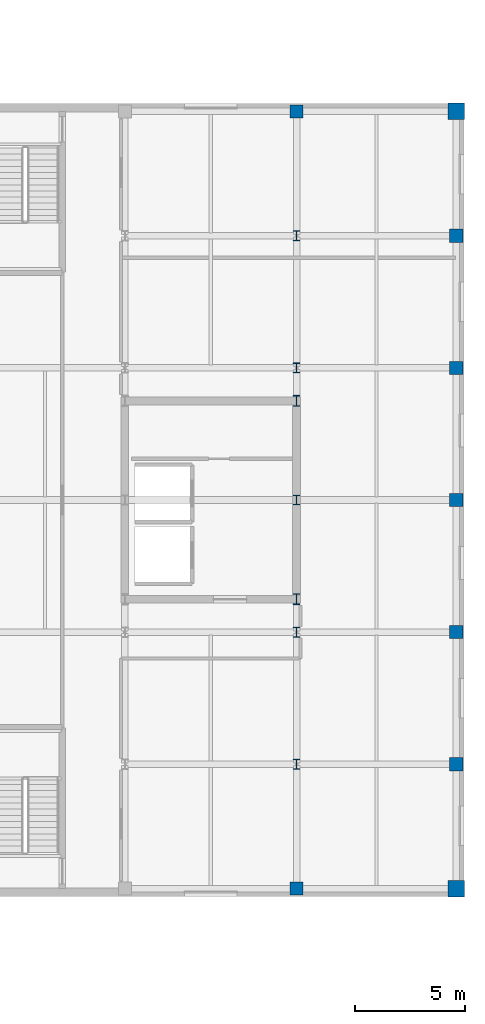
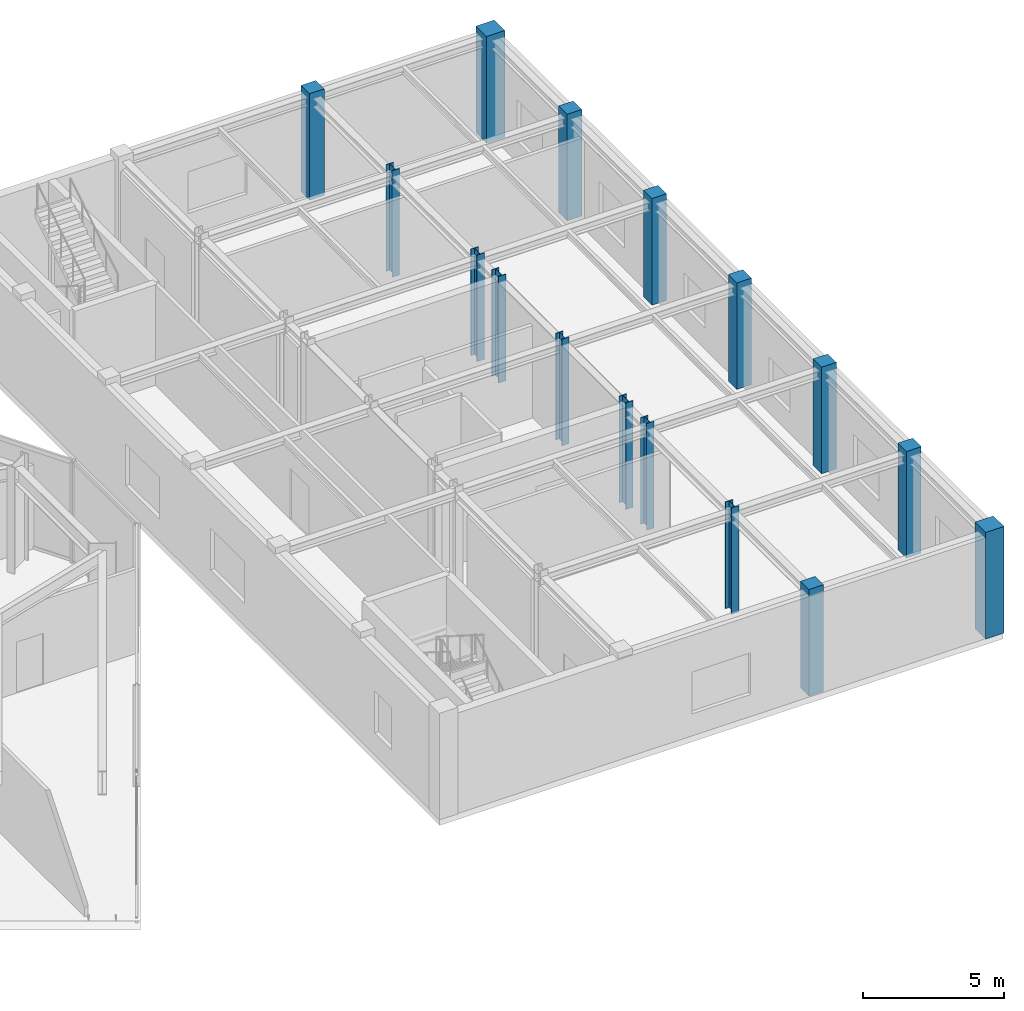
# One storey, part 4 of 23: 16 columns.
"""IFC4 building model written with IfcOpenShell, lengths in metres."""

from ifc_helpers import new_model, si_unit, direction, frame, origin, origin_2d, place, context, subcontext, project, spatial, rectangle, i_section, extrude, material, material_profile, profile_set, type_object, element, save


model = new_model("IFC4")

# Units and contexts
model_context = context("Model", 3, precision=1e-05, world=origin(), true_north=direction((0.0, 1.0)))
body_context = subcontext(model_context, "Body", "Model", "MODEL_VIEW")
ifc_project = project(units=[si_unit("LENGTHUNIT", "METRE"), si_unit("AREAUNIT", "SQUARE_METRE"), si_unit("VOLUMEUNIT", "CUBIC_METRE"), si_unit("PLANEANGLEUNIT", "RADIAN"), si_unit("MASSUNIT", "GRAM", prefix="KILO")], contexts=[model_context])

# Site, building, storey
site_placement = place(None, origin())
site = spatial("IfcSite", under=ifc_project, at=site_placement, CompositionType="ELEMENT")
building_placement = place(site_placement, origin())
building = spatial("IfcBuilding", under=site, at=building_placement, Name="Kranzbogen Civic Tower", CompositionType="ELEMENT")
storey_placement = place(building_placement, frame((0.0, 0.0, 9.800048828125)))
storey = spatial("IfcBuildingStorey", under=building, at=storey_placement, Name="L02", CompositionType="ELEMENT", Elevation=9.800048828125)

# Columns
ifc_material_1 = material(Name="Steel S355", Category="steel")
ifc_material_profile_1 = material_profile(ifc_material_1, i_section(OverallWidth=0.300048828125, OverallDepth=0.449951171875, WebThickness=0.013916015625, FlangeThickness=0.02587890625, at=origin_2d()), Name="HEB 450")
ifc_profile_set_1 = profile_set([ifc_material_profile_1], Name="Steel S355")
column_type_1 = type_object("IfcColumnType", Name="Structural Column HEB 450", PredefinedType="COLUMN", material=ifc_profile_set_1)
for number, where, z_axis, x_axis, name in (
    (1, (67.39990234375, 13.0, 0.0), (0.0, 0.0, 1.0), (1.0, 0.0, 0.0), "L02 Health Centre column 12/C"),
    (2, (67.39990234375, 19.0, 0.0), (0.0, 0.0, 1.0), (1.0, 0.0, 0.0), "L02 Health Centre column 12/D"),
    (3, (67.39990234375, 25.0, 0.0), (0.0, 0.0, 1.0), (1.0, 0.0, 0.0), "L02 Health Centre column 12/E"),
    (4, (67.39990234375, 31.0, 0.0), (0.0, 0.0, 1.0), (1.0, 0.0, 0.0), "L02 Health Centre column 12/F"),
    (5, (67.39990234375, 37.0, 0.0), (0.0, 0.0, 1.0), (1.0, 0.0, 0.0), "L02 Health Centre column 12/G"),
):
    element("IfcColumn", number, at=place(storey_placement, frame(where, z_axis=z_axis, x_axis=x_axis)), inside=storey, type_object=column_type_1, Name=name, PredefinedType="COLUMN", context=body_context, shape_type="SweptSolid", body=[
        extrude(i_section(OverallWidth=0.300048828125, OverallDepth=0.449951171875, WebThickness=0.013916015625, FlangeThickness=0.02587890625, at=origin_2d()), origin(), (0.0, 0.0, 1.0), 4.599853515625),
    ])
ifc_material_profile_2 = material_profile(ifc_material_1, i_section(OverallWidth=0.300048828125, OverallDepth=0.5, WebThickness=0.014404296875, FlangeThickness=0.028076171875, at=origin_2d()), Name="HEB 500")
ifc_profile_set_2 = profile_set([ifc_material_profile_2], Name="Steel S355")
column_type_2 = type_object("IfcColumnType", Name="Structural Column HEB 500", PredefinedType="COLUMN", material=ifc_profile_set_2)
for number, where, z_axis, x_axis, name in (
    (6, (67.39990234375, 20.5, 0.0), (0.0, 0.0, 1.0), (1.0, 0.0, 0.0), "L02 Health Centre core corner column 2"),
    (7, (67.39990234375, 29.5, 0.0), (0.0, 0.0, 1.0), (1.0, 0.0, 0.0), "L02 Health Centre core corner column 3"),
):
    element("IfcColumn", number, at=place(storey_placement, frame(where, z_axis=z_axis, x_axis=x_axis)), inside=storey, type_object=column_type_2, Name=name, PredefinedType="COLUMN", context=body_context, shape_type="SweptSolid", body=[
        extrude(i_section(OverallWidth=0.300048828125, OverallDepth=0.5, WebThickness=0.014404296875, FlangeThickness=0.028076171875, at=origin_2d()), origin(), (0.0, 0.0, 1.0), 4.599853515625),
    ])
ifc_material_2 = material(Name="Concrete C40/50", Category="concrete")
ifc_material_profile_3 = material_profile(ifc_material_2, rectangle(XDim=0.60009765625, YDim=0.60009765625, at=origin_2d()), Name="RC 600x600")
ifc_profile_set_3 = profile_set([ifc_material_profile_3], Name="Concrete C40/50")
column_type_3 = type_object("IfcColumnType", Name="Structural Column RC 600x600", PredefinedType="COLUMN", material=ifc_profile_set_3)
for number, where, z_axis, x_axis, name in (
    (8, (67.39990234375, 7.35009765625, 0.0), (0.0, 0.0, 1.0), (1.0, 0.0, 0.0), "L02 Health Centre column 12/B"),
    (9, (67.39990234375, 42.64990234375, 0.0), (0.0, 0.0, 1.0), (1.0, 0.0, 0.0), "L02 Health Centre column 12/H"),
    (10, (74.64990234375, 13.0, 0.0), (0.0, 0.0, 1.0), (1.0, 0.0, 0.0), "L02 Health Centre column 13/C"),
    (11, (74.64990234375, 19.0, 0.0), (0.0, 0.0, 1.0), (1.0, 0.0, 0.0), "L02 Health Centre column 13/D"),
    (12, (74.64990234375, 25.0, 0.0), (0.0, 0.0, 1.0), (1.0, 0.0, 0.0), "L02 Health Centre column 13/E"),
    (13, (74.64990234375, 31.0, 0.0), (0.0, 0.0, 1.0), (1.0, 0.0, 0.0), "L02 Health Centre column 13/F"),
    (14, (74.64990234375, 37.0, 0.0), (0.0, 0.0, 1.0), (1.0, 0.0, 0.0), "L02 Health Centre column 13/G"),
):
    element("IfcColumn", number, at=place(storey_placement, frame(where, z_axis=z_axis, x_axis=x_axis)), inside=storey, type_object=column_type_3, Name=name, PredefinedType="COLUMN", context=body_context, shape_type="SweptSolid", body=[
        extrude(rectangle(XDim=0.60009765625, YDim=0.60009765625, at=origin_2d()), origin(), (0.0, 0.0, 1.0), 4.599853515625),
    ])
ifc_material_profile_4 = material_profile(ifc_material_2, rectangle(XDim=0.75, YDim=0.75, at=origin_2d()), Name="RC 750x750")
ifc_profile_set_4 = profile_set([ifc_material_profile_4], Name="Concrete C40/50")
column_type_4 = type_object("IfcColumnType", Name="Structural Column RC 750x750", PredefinedType="COLUMN", material=ifc_profile_set_4)
for number, where, z_axis, x_axis, name in (
    (15, (74.64990234375, 7.35009765625, 0.0), (0.0, 0.0, 1.0), (1.0, 0.0, 0.0), "L02 Health Centre column 13/B"),
    (16, (74.64990234375, 42.64990234375, 0.0), (0.0, 0.0, 1.0), (1.0, 0.0, 0.0), "L02 Health Centre column 13/H"),
):
    element("IfcColumn", number, at=place(storey_placement, frame(where, z_axis=z_axis, x_axis=x_axis)), inside=storey, type_object=column_type_4, Name=name, PredefinedType="COLUMN", context=body_context, shape_type="SweptSolid", body=[
        extrude(rectangle(XDim=0.75, YDim=0.75, at=origin_2d()), origin(), (0.0, 0.0, 1.0), 4.599853515625),
    ])

save(model, "model.ifc")
